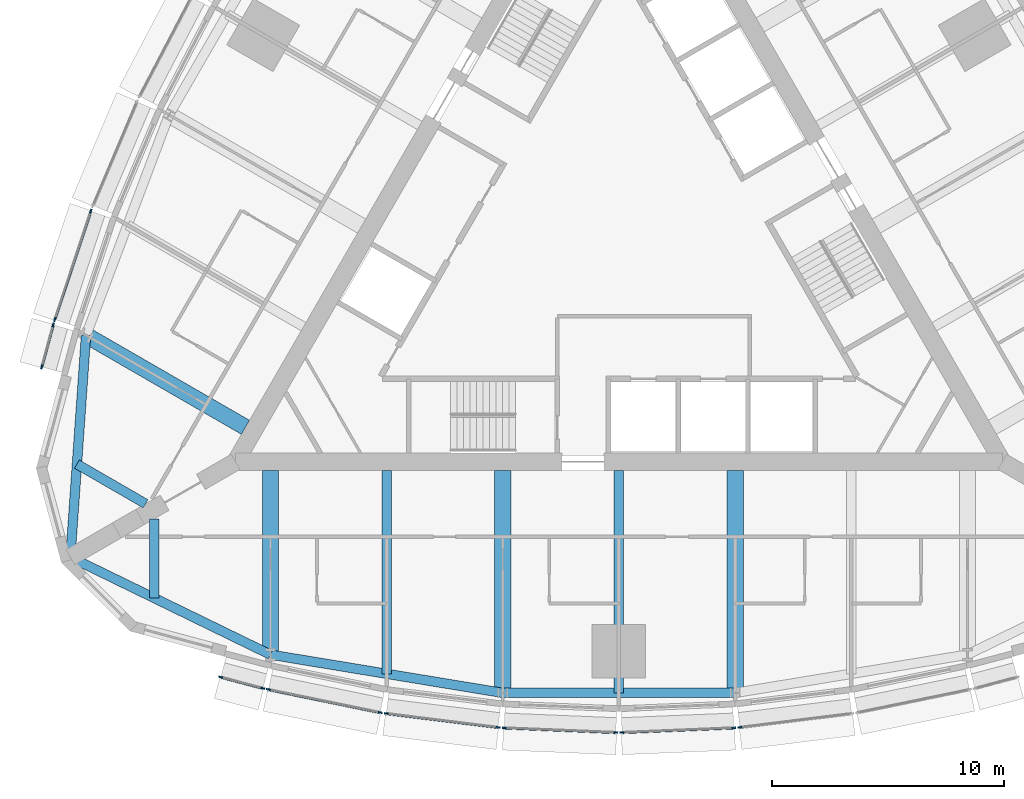
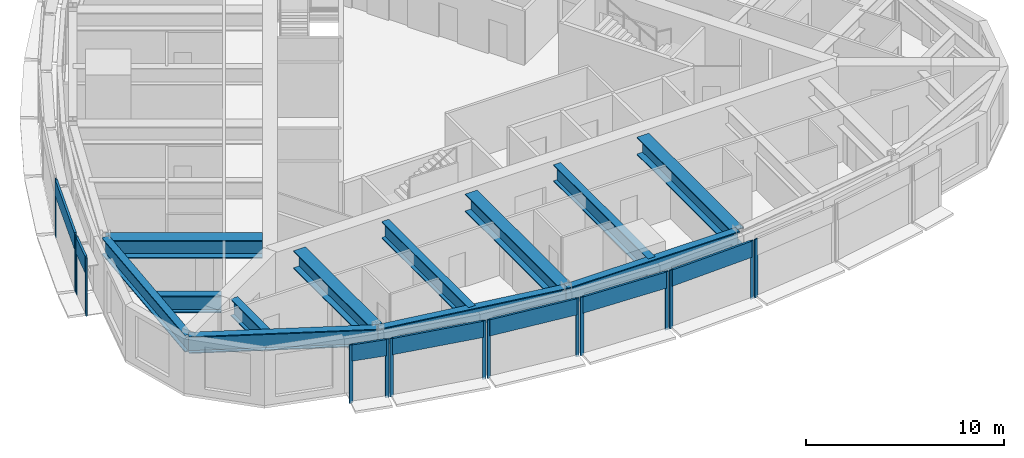
# One storey, part 2 of 15: 22 members, 12 beams, 8 elements without a shape of their own.
"""IFC4 building model written with IfcOpenShell, lengths in metres."""

from ifc_helpers import new_model, si_unit, direction, frame, origin, origin_2d, place, context, subcontext, project, spatial, rectangle, i_section, extrude, material, material_profile, profile_set, type_object, element, aggregate, save


model = new_model("IFC4")

# Units and contexts
model_context = context("Model", 3, precision=1e-05, world=origin(), true_north=direction((0.0, 1.0)))
body_context = subcontext(model_context, "Body", "Model", "MODEL_VIEW")
ifc_project = project(units=[si_unit("LENGTHUNIT", "METRE"), si_unit("AREAUNIT", "SQUARE_METRE"), si_unit("VOLUMEUNIT", "CUBIC_METRE"), si_unit("PLANEANGLEUNIT", "RADIAN"), si_unit("MASSUNIT", "GRAM", prefix="KILO")], contexts=[model_context])

# Site, building, storey
site_placement = place(None, origin())
site = spatial("IfcSite", under=ifc_project, at=site_placement, CompositionType="ELEMENT")
building_placement = place(site_placement, origin())
building = spatial("IfcBuilding", under=site, at=building_placement, Name="Trikona Tower", CompositionType="ELEMENT")
storey_placement = place(building_placement, frame((0.0, 0.0, 229.699951171875)))
storey = spatial("IfcBuildingStorey", under=building, at=storey_placement, Name="L61", CompositionType="ELEMENT", Elevation=229.699951171875)

# Curtain wall, members
ifc_material_1 = material(Name="Aluminium curtain wall system", Category="aluminium")
curtain_wall_type = type_object("IfcCurtainWallType", Name="Curtain wall DS3S", PredefinedType="NOTDEFINED", material=ifc_material_1)
curtain_wall_1_placement = place(storey_placement, origin())
curtain_wall_1 = element("IfcCurtainWall", 1, at=curtain_wall_1_placement, inside=storey, type_object=curtain_wall_type, Name="Curtain wall DS3S L61", PredefinedType="NOTDEFINED")
ifc_material_2 = material(Name="Aluminium mullion, pale anodised", Category="aluminium")
ifc_material_profile_1 = material_profile(ifc_material_2, rectangle(XDim=0.070068359375, YDim=0.179931640625, at=origin_2d()), Name="MUL-DS3S")
ifc_profile_set_1 = profile_set([ifc_material_profile_1], Name="Aluminium mullion, pale anodised")
member_type_1 = type_object("IfcMemberType", Name="Mullion DS3S 70x180", PredefinedType="MULLION", material=ifc_profile_set_1)
member_1_placement = place(storey_placement, frame((-17.137451171875, -18.79248046875, 0.0), z_axis=(0.0, 0.0, 1.0), x_axis=(0.25478635579, 0.966997369647, 0.0)))
member_1 = element("IfcMember", 2, at=member_1_placement, type_object=member_type_1, Name="CW-DS3S mullion 1", PredefinedType="MULLION", context=body_context, shape_type="SweptSolid", body=[
    extrude(rectangle(XDim=0.070068359375, YDim=0.179931640625, at=origin_2d()), origin(), (0.0, 0.0, 1.0), 3.60009765625),
])
member_2_placement = place(storey_placement, frame((-15.321044921875, -19.27099609375, 0.0), z_axis=(0.0, 0.0, 1.0), x_axis=(0.25478635579, 0.966997369647, 0.0)))
member_2 = element("IfcMember", 3, at=member_2_placement, type_object=member_type_1, Name="CW-DS3S mullion 2", PredefinedType="MULLION", context=body_context, shape_type="SweptSolid", body=[
    extrude(rectangle(XDim=0.070068359375, YDim=0.179931640625, at=origin_2d()), origin(), (0.0, 0.0, 1.0), 3.60009765625),
])

curtain_wall_2_placement = place(storey_placement, origin())
curtain_wall_2 = element("IfcCurtainWall", 4, at=curtain_wall_2_placement, inside=storey, type_object=curtain_wall_type, Name="Curtain wall DS3S L61", PredefinedType="NOTDEFINED")
member_3_placement = place(storey_placement, frame((-15.08837890625, -19.325439453125, 0.0), z_axis=(0.0, 0.0, 1.0), x_axis=(0.201652920672, 0.979457043256, 0.0)))
member_3 = element("IfcMember", 5, at=member_3_placement, type_object=member_type_1, Name="CW-DS3S mullion 1", PredefinedType="MULLION", context=body_context, shape_type="SweptSolid", body=[
    extrude(rectangle(XDim=0.070068359375, YDim=0.179931640625, at=origin_2d()), origin(), (0.0, 0.0, 1.0), 3.60009765625),
])
member_4_placement = place(storey_placement, frame((-10.274658203125, -20.316650390625, 0.0), z_axis=(0.0, 0.0, 1.0), x_axis=(0.201652920672, 0.979457043256, 0.0)))
member_4 = element("IfcMember", 6, at=member_4_placement, type_object=member_type_1, Name="CW-DS3S mullion 2", PredefinedType="MULLION", context=body_context, shape_type="SweptSolid", body=[
    extrude(rectangle(XDim=0.070068359375, YDim=0.179931640625, at=origin_2d()), origin(), (0.0, 0.0, 1.0), 3.60009765625),
])

curtain_wall_3_placement = place(storey_placement, origin())
curtain_wall_3 = element("IfcCurtainWall", 7, at=curtain_wall_3_placement, inside=storey, type_object=curtain_wall_type, Name="Curtain wall DS3S L61", PredefinedType="NOTDEFINED")
member_5_placement = place(storey_placement, frame((-10.01611328125, -20.359130859375, 0.0), z_axis=(0.0, 0.0, 1.0), x_axis=(0.122610640458, 0.992454850785, 0.0)))
member_5 = element("IfcMember", 8, at=member_5_placement, type_object=member_type_1, Name="CW-DS3S mullion 1", PredefinedType="MULLION", context=body_context, shape_type="SweptSolid", body=[
    extrude(rectangle(XDim=0.070068359375, YDim=0.179931640625, at=origin_2d()), origin(), (0.0, 0.0, 1.0), 3.60009765625),
])
member_6_placement = place(storey_placement, frame((-5.20458984375, -20.95361328125, 0.0), z_axis=(0.0, 0.0, 1.0), x_axis=(0.122610640458, 0.992454850785, 0.0)))
member_6 = element("IfcMember", 9, at=member_6_placement, type_object=member_type_1, Name="CW-DS3S mullion 2", PredefinedType="MULLION", context=body_context, shape_type="SweptSolid", body=[
    extrude(rectangle(XDim=0.070068359375, YDim=0.179931640625, at=origin_2d()), origin(), (0.0, 0.0, 1.0), 3.60009765625),
])

curtain_wall_4_placement = place(storey_placement, origin())
curtain_wall_4 = element("IfcCurtainWall", 10, at=curtain_wall_4_placement, inside=storey, type_object=curtain_wall_type, Name="Curtain wall DS3S L61", PredefinedType="NOTDEFINED")
member_7_placement = place(storey_placement, frame((-4.942138671875, -20.97509765625, 0.0), z_axis=(0.0, 0.0, 1.0), x_axis=(0.04115278907, 0.999152865157, 0.0)))
member_7 = element("IfcMember", 11, at=member_7_placement, type_object=member_type_1, Name="CW-DS3S mullion 1", PredefinedType="MULLION", context=body_context, shape_type="SweptSolid", body=[
    extrude(rectangle(XDim=0.070068359375, YDim=0.179931640625, at=origin_2d()), origin(), (0.0, 0.0, 1.0), 3.60009765625),
])
member_8_placement = place(storey_placement, frame((-0.132080078125, -21.17333984375, 0.0), z_axis=(0.0, 0.0, 1.0), x_axis=(0.04115278907, 0.999152865157, 0.0)))
member_8 = element("IfcMember", 12, at=member_8_placement, type_object=member_type_1, Name="CW-DS3S mullion 2", PredefinedType="MULLION", context=body_context, shape_type="SweptSolid", body=[
    extrude(rectangle(XDim=0.070068359375, YDim=0.179931640625, at=origin_2d()), origin(), (0.0, 0.0, 1.0), 3.60009765625),
])

curtain_wall_5_placement = place(storey_placement, origin())
curtain_wall_5 = element("IfcCurtainWall", 13, at=curtain_wall_5_placement, inside=storey, type_object=curtain_wall_type, Name="Curtain wall DS3S L61", PredefinedType="NOTDEFINED")
member_9_placement = place(storey_placement, frame((0.132080078125, -21.17333984375, 0.0), z_axis=(0.0, 0.0, 1.0), x_axis=(-0.04115278907, 0.999152865157, 0.0)))
member_9 = element("IfcMember", 14, at=member_9_placement, type_object=member_type_1, Name="CW-DS3S mullion 1", PredefinedType="MULLION", context=body_context, shape_type="SweptSolid", body=[
    extrude(rectangle(XDim=0.070068359375, YDim=0.179931640625, at=origin_2d()), origin(), (0.0, 0.0, 1.0), 3.60009765625),
])
member_10_placement = place(storey_placement, frame((4.942138671875, -20.97509765625, 0.0), z_axis=(0.0, 0.0, 1.0), x_axis=(-0.04115278907, 0.999152865157, 0.0)))
member_10 = element("IfcMember", 15, at=member_10_placement, type_object=member_type_1, Name="CW-DS3S mullion 2", PredefinedType="MULLION", context=body_context, shape_type="SweptSolid", body=[
    extrude(rectangle(XDim=0.070068359375, YDim=0.179931640625, at=origin_2d()), origin(), (0.0, 0.0, 1.0), 3.60009765625),
])

# Curtain wall, member
curtain_wall_6_placement = place(storey_placement, origin())
curtain_wall_6 = element("IfcCurtainWall", 16, at=curtain_wall_6_placement, inside=storey, type_object=curtain_wall_type, Name="Curtain wall DS3S L61", PredefinedType="NOTDEFINED")
member_11_placement = place(storey_placement, frame((5.20458984375, -20.95361328125, 0.0), z_axis=(0.0, 0.0, 1.0), x_axis=(-0.122610640458, 0.992454850785, 0.0)))
member_11 = element("IfcMember", 17, at=member_11_placement, type_object=member_type_1, Name="CW-DS3S mullion 1", PredefinedType="MULLION", context=body_context, shape_type="SweptSolid", body=[
    extrude(rectangle(XDim=0.070068359375, YDim=0.179931640625, at=origin_2d()), origin(), (0.0, 0.0, 1.0), 3.60009765625),
])
aggregate(curtain_wall_6, [member_11])

# Curtain wall, members
curtain_wall_7_placement = place(storey_placement, origin())
curtain_wall_7 = element("IfcCurtainWall", 18, at=curtain_wall_7_placement, inside=storey, type_object=curtain_wall_type, Name="Curtain wall DS3S L61", PredefinedType="NOTDEFINED")
member_12_placement = place(storey_placement, frame((-22.73193359375, 1.26025390625, 0.0), z_axis=(0.0, 0.0, 1.0), x_axis=(0.949065766708, -0.315078038687, 0.0)))
member_12 = element("IfcMember", 19, at=member_12_placement, type_object=member_type_1, Name="CW-DS3S mullion 1", PredefinedType="MULLION", context=body_context, shape_type="SweptSolid", body=[
    extrude(rectangle(XDim=0.070068359375, YDim=0.179931640625, at=origin_2d()), origin(), (0.0, 0.0, 1.0), 3.60009765625),
])
member_13_placement = place(storey_placement, frame((-24.280517578125, -3.404296875, 0.0), z_axis=(0.0, 0.0, 1.0), x_axis=(0.949065766708, -0.315078038687, 0.0)))
member_13 = element("IfcMember", 20, at=member_13_placement, type_object=member_type_1, Name="CW-DS3S mullion 2", PredefinedType="MULLION", context=body_context, shape_type="SweptSolid", body=[
    extrude(rectangle(XDim=0.070068359375, YDim=0.179931640625, at=origin_2d()), origin(), (0.0, 0.0, 1.0), 3.60009765625),
])

curtain_wall_8_placement = place(storey_placement, origin())
curtain_wall_8 = element("IfcCurtainWall", 21, at=curtain_wall_8_placement, inside=storey, type_object=curtain_wall_type, Name="Curtain wall DS3S L61", PredefinedType="NOTDEFINED")
member_14_placement = place(storey_placement, frame((-24.349609375, -3.633056640625, 0.0), z_axis=(0.0, 0.0, 1.0), x_axis=(0.964838403494, -0.262843784676, 0.0)))
member_14 = element("IfcMember", 22, at=member_14_placement, type_object=member_type_1, Name="CW-DS3S mullion 1", PredefinedType="MULLION", context=body_context, shape_type="SweptSolid", body=[
    extrude(rectangle(XDim=0.070068359375, YDim=0.179931640625, at=origin_2d()), origin(), (0.0, 0.0, 1.0), 3.60009765625),
])
member_15_placement = place(storey_placement, frame((-24.843505859375, -5.4453125, 0.0), z_axis=(0.0, 0.0, 1.0), x_axis=(0.964838403494, -0.262843784676, 0.0)))
member_15 = element("IfcMember", 23, at=member_15_placement, type_object=member_type_1, Name="CW-DS3S mullion 2", PredefinedType="MULLION", context=body_context, shape_type="SweptSolid", body=[
    extrude(rectangle(XDim=0.070068359375, YDim=0.179931640625, at=origin_2d()), origin(), (0.0, 0.0, 1.0), 3.60009765625),
])

# Beams
ifc_material_3 = material(Name="Steel ASTM A992 Grade 50", Category="steel")
ifc_material_profile_2 = material_profile(ifc_material_3, i_section(OverallWidth=0.699951171875, OverallDepth=1.10009765625, WebThickness=0.0400390625, FlangeThickness=0.06005859375, at=origin_2d()), Name="PG1100X700")
ifc_profile_set_2 = profile_set([ifc_material_profile_2], Name="Steel ASTM A992 Grade 50")
beam_type_1 = type_object("IfcBeamType", Name="Steel beam PG1100x700 (belt chord radial)", PredefinedType="BEAM", material=ifc_profile_set_2)
beam_1_placement = place(storey_placement, frame((-15.0, -9.9013671875, 2.800048828125), z_axis=(0.0, -1.0, 0.0), x_axis=(1.0, 0.0, 0.0)))
element("IfcBeam", 24, at=beam_1_placement, inside=storey, type_object=beam_type_1, Name="Floor beam L62 F1 u-15", PredefinedType="BEAM", context=body_context, shape_type="SweptSolid", body=[
    extrude(i_section(OverallWidth=0.699951171875, OverallDepth=1.10009765625, WebThickness=0.0400390625, FlangeThickness=0.06005859375, at=origin_2d()), origin(), (0.0, 0.0, 1.0), 7.923583984375),
])
for number, where, z_axis, x_axis, name in (
    (25, (-5.0, -9.9013671875, 2.800048828125), (0.0, -1.0, 0.0), (1.0, 0.0, 0.0), "Floor beam L62 F1 u-5"),
    (26, (5.0, -9.9013671875, 2.800048828125), (0.0, -1.0, 0.0), (1.0, 0.0, 0.0), "Floor beam L62 F1 u5"),
):
    element("IfcBeam", number, at=place(storey_placement, frame(where, z_axis=z_axis, x_axis=x_axis)), inside=storey, type_object=beam_type_1, Name=name, PredefinedType="BEAM", context=body_context, shape_type="SweptSolid", body=[
        extrude(i_section(OverallWidth=0.699951171875, OverallDepth=1.10009765625, WebThickness=0.0400390625, FlangeThickness=0.06005859375, at=origin_2d()), origin(), (0.0, 0.0, 1.0), 9.570556640625),
    ])
beam_2_placement = place(storey_placement, frame((-16.07470703125, -8.039794921875, 2.800048828125), z_axis=(-0.866019853763, 0.500009612796, 0.0), x_axis=(-0.500009612796, -0.866019853763, 0.0)))
element("IfcBeam", 27, at=beam_2_placement, inside=storey, type_object=beam_type_1, Name="Floor beam L62 F3 u15", PredefinedType="BEAM", context=body_context, shape_type="SweptSolid", body=[
    extrude(i_section(OverallWidth=0.699951171875, OverallDepth=1.10009765625, WebThickness=0.0400390625, FlangeThickness=0.06005859375, at=origin_2d()), origin(), (0.0, 0.0, 1.0), 7.923583984375),
])
ifc_material_4 = material(Name="Steel ASTM A992 Grade 50", Category="steel")
ifc_material_profile_3 = material_profile(ifc_material_4, i_section(OverallWidth=0.408935546875, OverallDepth=1.04150390625, WebThickness=0.031005859375, FlangeThickness=0.055908203125, at=origin_2d()), Name="W40X397")
ifc_profile_set_3 = profile_set([ifc_material_profile_3], Name="Steel ASTM A992 Grade 50")
beam_type_2 = type_object("IfcBeamType", Name="Steel beam W40x397 (plant spandrel)", PredefinedType="SPANDREL", material=ifc_profile_set_3)
beam_3_placement = place(storey_placement, frame((-23.6103515625, -13.63134765625, 2.829345703125), z_axis=(0.899038503257, -0.437869580652, 0.0), x_axis=(0.437869580652, 0.899038503257, 0.0)))
element("IfcBeam", 28, at=beam_3_placement, inside=storey, type_object=beam_type_2, Name="Spandrel beam L62 F1-1", PredefinedType="SPANDREL", context=body_context, shape_type="SweptSolid", body=[
    extrude(i_section(OverallWidth=0.408935546875, OverallDepth=1.04150390625, WebThickness=0.031005859375, FlangeThickness=0.055908203125, at=origin_2d()), origin(), (0.0, 0.0, 1.0), 9.577392578125),
])
beam_4_placement = place(storey_placement, frame((-15.0, -17.824951171875, 2.829345703125), z_axis=(0.986707228918, -0.162507982575, 0.0), x_axis=(0.162507982575, 0.986707228918, 0.0)))
element("IfcBeam", 29, at=beam_4_placement, inside=storey, type_object=beam_type_2, Name="Spandrel beam L62 F1-2", PredefinedType="SPANDREL", context=body_context, shape_type="SweptSolid", body=[
    extrude(i_section(OverallWidth=0.408935546875, OverallDepth=1.04150390625, WebThickness=0.031005859375, FlangeThickness=0.055908203125, at=origin_2d()), origin(), (0.0, 0.0, 1.0), 10.134765625),
])
beam_5_placement = place(storey_placement, frame((-5.0, -19.471923828125, 2.829345703125), z_axis=(1.0, 0.0, 0.0), x_axis=(0.0, 1.0, 0.0)))
element("IfcBeam", 30, at=beam_5_placement, inside=storey, type_object=beam_type_2, Name="Spandrel beam L62 F1-3", PredefinedType="SPANDREL", context=body_context, shape_type="SweptSolid", body=[
    extrude(i_section(OverallWidth=0.408935546875, OverallDepth=1.04150390625, WebThickness=0.031005859375, FlangeThickness=0.055908203125, at=origin_2d()), origin(), (0.0, 0.0, 1.0), 10.0),
])
beam_6_placement = place(storey_placement, frame((-22.936767578125, -4.077880859375, 2.829345703125), z_axis=(-0.07033215835, -0.997523627541, 0.0), x_axis=(0.997523627541, -0.07033215835, 0.0)))
element("IfcBeam", 31, at=beam_6_placement, inside=storey, type_object=beam_type_2, Name="Spandrel beam L62 F3-5", PredefinedType="SPANDREL", context=body_context, shape_type="SweptSolid", body=[
    extrude(i_section(OverallWidth=0.408935546875, OverallDepth=1.04150390625, WebThickness=0.031005859375, FlangeThickness=0.055908203125, at=origin_2d()), origin(), (0.0, 0.0, 1.0), 9.5771484375),
])
ifc_material_5 = material(Name="Steel ASTM A992 Grade 50", Category="steel")
ifc_material_profile_4 = material_profile(ifc_material_5, i_section(OverallWidth=0.408935546875, OverallDepth=1.04150390625, WebThickness=0.031005859375, FlangeThickness=0.055908203125, at=origin_2d()), Name="W40X397")
ifc_profile_set_4 = profile_set([ifc_material_profile_4], Name="Steel ASTM A992 Grade 50")
beam_type_3 = type_object("IfcBeamType", Name="Steel beam W40x397 (plant)", PredefinedType="BEAM", material=ifc_profile_set_4)
beam_7_placement = place(storey_placement, frame((-10.0, -9.9013671875, 2.829345703125), z_axis=(0.0, -1.0, 0.0), x_axis=(1.0, 0.0, 0.0)))
element("IfcBeam", 32, at=beam_7_placement, inside=storey, type_object=beam_type_3, Name="Floor beam L62 F1 u-10", PredefinedType="BEAM", context=body_context, shape_type="SweptSolid", body=[
    extrude(i_section(OverallWidth=0.408935546875, OverallDepth=1.04150390625, WebThickness=0.031005859375, FlangeThickness=0.055908203125, at=origin_2d()), origin(), (0.0, 0.0, 1.0), 8.7470703125),
])
beam_8_placement = place(storey_placement, frame((0.0, -9.9013671875, 2.829345703125), z_axis=(0.0, -1.0, 0.0), x_axis=(1.0, 0.0, 0.0)))
element("IfcBeam", 33, at=beam_8_placement, inside=storey, type_object=beam_type_3, Name="Floor beam L62 F1 u0", PredefinedType="BEAM", context=body_context, shape_type="SweptSolid", body=[
    extrude(i_section(OverallWidth=0.408935546875, OverallDepth=1.04150390625, WebThickness=0.031005859375, FlangeThickness=0.055908203125, at=origin_2d()), origin(), (0.0, 0.0, 1.0), 9.570556640625),
])
ifc_material_6 = material(Name="Steel ASTM A992 Grade 50", Category="steel")
ifc_material_profile_5 = material_profile(ifc_material_6, i_section(OverallWidth=0.411376953125, OverallDepth=1.049072265625, WebThickness=0.033935546875, FlangeThickness=0.06005859375, at=origin_2d()), Name="W40X431")
ifc_profile_set_5 = profile_set([ifc_material_profile_5], Name="Steel ASTM A992 Grade 50")
beam_type_4 = type_object("IfcBeamType", Name="Steel beam W40x431 (plant wedge)", PredefinedType="BEAM", material=ifc_profile_set_5)
beam_9_placement = place(storey_placement, frame((-20.0, -11.97998046875, 2.825439453125), z_axis=(0.0, -1.0, 0.0), x_axis=(1.0, 0.0, 0.0)))
element("IfcBeam", 34, at=beam_9_placement, inside=storey, type_object=beam_type_4, Name="Floor beam L62 F1 u-20", PredefinedType="BEAM", context=body_context, shape_type="SweptSolid", body=[
    extrude(i_section(OverallWidth=0.411376953125, OverallDepth=1.049072265625, WebThickness=0.033935546875, FlangeThickness=0.06005859375, at=origin_2d()), origin(), (0.0, 0.0, 1.0), 3.40966796875),
])
beam_10_placement = place(storey_placement, frame((-20.375, -11.33056640625, 2.825439453125), z_axis=(-0.865995995653, 0.500050932918, 0.0), x_axis=(-0.500050932918, -0.865995995653, 0.0)))
element("IfcBeam", 35, at=beam_10_placement, inside=storey, type_object=beam_type_4, Name="Floor beam L62 F3 u20", PredefinedType="BEAM", context=body_context, shape_type="SweptSolid", body=[
    extrude(i_section(OverallWidth=0.411376953125, OverallDepth=1.049072265625, WebThickness=0.033935546875, FlangeThickness=0.06005859375, at=origin_2d()), origin(), (0.0, 0.0, 1.0), 3.409912109375),
])

# Member
ifc_material_7 = material(Name="Aluminium transom, pale anodised", Category="aluminium")
ifc_material_profile_6 = material_profile(ifc_material_7, rectangle(XDim=0.1201171875, YDim=1.0, at=origin_2d()), Name="TRN-DS3S")
ifc_profile_set_6 = profile_set([ifc_material_profile_6], Name="Aluminium transom, pale anodised")
member_type_2 = type_object("IfcMemberType", Name="Transom DS3S 1000x120", PredefinedType="USERDEFINED", material=ifc_profile_set_6)
member_16_placement = place(storey_placement, frame((-17.103515625, -18.80126953125, 3.10009765625), z_axis=(0.966999290683, -0.254779064719, 0.0), x_axis=(0.254779064719, 0.966999290683, 0.0)))
member_16 = element("IfcMember", 36, at=member_16_placement, type_object=member_type_2, Name="CW-DS3S transom 1.1", ObjectType="TRANSOM", PredefinedType="USERDEFINED", context=body_context, shape_type="SweptSolid", body=[
    extrude(rectangle(XDim=0.1201171875, YDim=1.0, at=origin_2d()), origin(), (0.0, 0.0, 1.0), 1.80810546875),
])

aggregate(curtain_wall_1, [member_1, member_2, member_16])

member_17_placement = place(storey_placement, frame((-15.05419921875, -19.33251953125, 3.10009765625), z_axis=(0.979454408611, -0.201665717099, 0.0), x_axis=(0.201665717099, 0.979454408611, 0.0)))
member_17 = element("IfcMember", 37, at=member_17_placement, type_object=member_type_2, Name="CW-DS3S transom 1.1", ObjectType="TRANSOM", PredefinedType="USERDEFINED", context=body_context, shape_type="SweptSolid", body=[
    extrude(rectangle(XDim=0.1201171875, YDim=1.0, at=origin_2d()), origin(), (0.0, 0.0, 1.0), 4.844970703125),
])

aggregate(curtain_wall_2, [member_3, member_4, member_17])

member_18_placement = place(storey_placement, frame((-9.9814453125, -20.363525390625, 3.10009765625), z_axis=(0.992459172161, -0.122575656611, 0.0), x_axis=(0.122575656611, 0.992459172161, 0.0)))
member_18 = element("IfcMember", 38, at=member_18_placement, type_object=member_type_2, Name="CW-DS3S transom 1.1", ObjectType="TRANSOM", PredefinedType="USERDEFINED", context=body_context, shape_type="SweptSolid", body=[
    extrude(rectangle(XDim=0.1201171875, YDim=1.0, at=origin_2d()), origin(), (0.0, 0.0, 1.0), 4.7783203125),
])

aggregate(curtain_wall_3, [member_5, member_6, member_18])

member_19_placement = place(storey_placement, frame((-4.9072265625, -20.9765625, 3.10009765625), z_axis=(0.99915223027, -0.04116820067, 0.0), x_axis=(0.04116820067, 0.99915223027, 0.0)))
member_19 = element("IfcMember", 39, at=member_19_placement, type_object=member_type_2, Name="CW-DS3S transom 1.1", ObjectType="TRANSOM", PredefinedType="USERDEFINED", context=body_context, shape_type="SweptSolid", body=[
    extrude(rectangle(XDim=0.1201171875, YDim=1.0, at=origin_2d()), origin(), (0.0, 0.0, 1.0), 4.744140625),
])

aggregate(curtain_wall_4, [member_7, member_8, member_19])

member_20_placement = place(storey_placement, frame((0.1669921875, -21.171875, 3.10009765625), z_axis=(0.99915223027, 0.04116820067, 0.0), x_axis=(-0.04116820067, 0.99915223027, 0.0)))
member_20 = element("IfcMember", 40, at=member_20_placement, type_object=member_type_2, Name="CW-DS3S transom 1.1", ObjectType="TRANSOM", PredefinedType="USERDEFINED", context=body_context, shape_type="SweptSolid", body=[
    extrude(rectangle(XDim=0.1201171875, YDim=1.0, at=origin_2d()), origin(), (0.0, 0.0, 1.0), 4.744140625),
])

aggregate(curtain_wall_5, [member_9, member_10, member_20])

member_21_placement = place(storey_placement, frame((-22.7431640625, 1.22705078125, 3.10009765625), z_axis=(-0.315063426034, -0.949070617802, 0.0), x_axis=(0.949070617802, -0.315063426034, 0.0)))
member_21 = element("IfcMember", 41, at=member_21_placement, type_object=member_type_2, Name="CW-DS3S transom 1.1", ObjectType="TRANSOM", PredefinedType="USERDEFINED", context=body_context, shape_type="SweptSolid", body=[
    extrude(rectangle(XDim=0.1201171875, YDim=1.0, at=origin_2d()), origin(), (0.0, 0.0, 1.0), 4.8447265625),
])

aggregate(curtain_wall_7, [member_12, member_13, member_21])

member_22_placement = place(storey_placement, frame((-24.35888671875, -3.666748046875, 3.10009765625), z_axis=(-0.262843243155, -0.964838551017, 0.0), x_axis=(0.964838551017, -0.262843243155, 0.0)))
member_22 = element("IfcMember", 42, at=member_22_placement, type_object=member_type_2, Name="CW-DS3S transom 1.1", ObjectType="TRANSOM", PredefinedType="USERDEFINED", context=body_context, shape_type="SweptSolid", body=[
    extrude(rectangle(XDim=0.1201171875, YDim=1.0, at=origin_2d()), origin(), (0.0, 0.0, 1.0), 1.808349609375),
])

aggregate(curtain_wall_8, [member_14, member_15, member_22])

save(model, "model.ifc")
